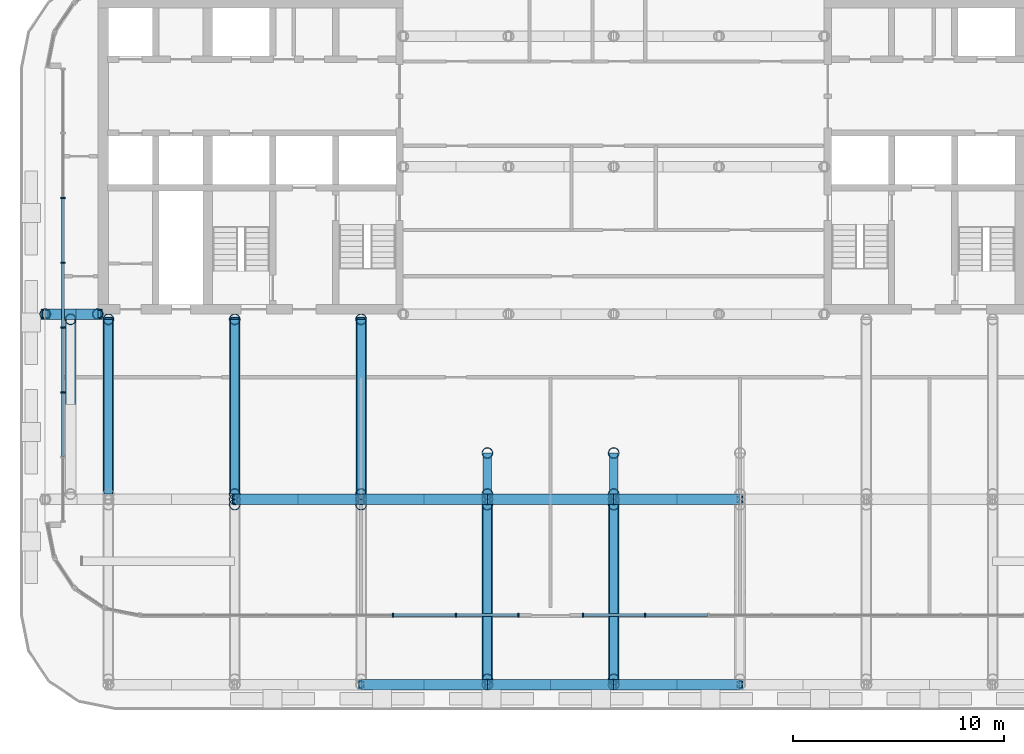
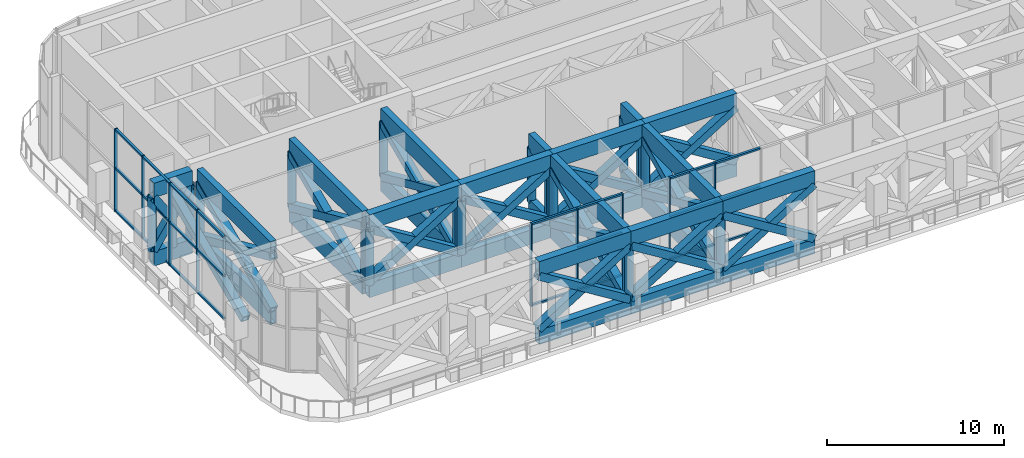
# One storey, part 2 of 20: 84 members, 30 beams, 3 elements without a shape of their own.
"""IFC4 building model written with IfcOpenShell, lengths in metres."""

import ifcopenshell
import ifcopenshell.guid

model = None  # the IFC model being written
_history = None  # IfcOwnerHistory: only IFC2X3 demands one
_inside = {}  # id of a spatial element -> (the spatial element, [elements in it])
_under = {}  # id of a project, library or spatial element -> (it, [spatial elements below it])
_declared = {}  # id of a project -> (the project, [libraries it declares])
_typed = {}  # id of a type object -> (the type object, [elements of that type])
_made_of = {}  # id of a material, layer set ... -> (it, [elements and type objects made of it])


def new_model(schema):
    """Start an empty IFC model of exactly this schema.

    Asked for "IFC4X3", IfcOpenShell would pick the latest addendum, in which some entities
    have other attributes; the version numbers below select the first issue.
    IFC2X3 requires an IfcOwnerHistory on every rooted entity: one is made here for all.
    """
    global model, _history
    if schema == "IFC4X3":
        model = ifcopenshell.file(schema_version=(4, 3, 0, 0))
    else:
        model = ifcopenshell.file(schema=schema)
    _inside.clear()
    _under.clear()
    _declared.clear()
    _typed.clear()
    _made_of.clear()
    _history = None
    if model.schema == "IFC2X3":
        org = make("IfcOrganization", Name="unknown")
        user = make(
            "IfcPersonAndOrganization",
            ThePerson=make("IfcPerson", FamilyName="unknown"),
            TheOrganization=org,
        )
        app = make(
            "IfcApplication",
            ApplicationDeveloper=org,
            Version="unknown",
            ApplicationFullName="unknown",
            ApplicationIdentifier="unknown",
        )
        _history = make(
            "IfcOwnerHistory",
            OwningUser=user,
            OwningApplication=app,
            ChangeAction="ADDED",
            CreationDate=0,
        )
    return model


def make(cls, **values):
    """One entity of the class cls with the attributes given. An attribute that is None is left unset."""
    return model.create_entity(
        cls, **{name: value for name, value in values.items() if value is not None}
    )


def rooted(cls, **values):
    """An entity with a GlobalId (a new one), such as an element, a storey or a relation."""
    return make(cls, GlobalId=ifcopenshell.guid.new(), OwnerHistory=_history, **values)


def si_unit(unit_type, name, prefix=None):
    """IfcSIUnit, for example si_unit("LENGTHUNIT", "METRE", prefix="MILLI")."""
    return make("IfcSIUnit", UnitType=unit_type, Prefix=prefix, Name=name)


def assignment(units):
    """IfcUnitAssignment: the units of a project."""
    return None if units is None else make("IfcUnitAssignment", Units=units)


def point(xyz):
    """IfcCartesianPoint."""
    return None if xyz is None else make("IfcCartesianPoint", Coordinates=xyz)


def direction(xyz):
    """IfcDirection."""
    return None if xyz is None else make("IfcDirection", DirectionRatios=xyz)


def frame(location, z_axis=None, x_axis=None):
    """IfcAxis2Placement3D, a coordinate frame: its origin and axes. An axis left out is left unset."""
    return make(
        "IfcAxis2Placement3D",
        Location=point(location),
        Axis=direction(z_axis),
        RefDirection=direction(x_axis),
    )


def frame_2d(location, x_axis=None):
    """IfcAxis2Placement2D, a coordinate frame in the plane: its origin and x axis."""
    return make(
        "IfcAxis2Placement2D", Location=point(location), RefDirection=direction(x_axis)
    )


def origin():
    """The frame at (0, 0, 0) with its axes left unset."""
    return frame((0.0, 0.0, 0.0))


def origin_2d():
    """The frame at (0, 0) in the plane with its x axis left unset."""
    return frame_2d((0.0, 0.0))


def place(relative_to, where):
    """IfcLocalPlacement: puts the frame where relative to a parent placement (None: the world)."""
    return make(
        "IfcLocalPlacement", PlacementRelTo=relative_to, RelativePlacement=where
    )


def context(
    kind, dimensions, precision=None, world=None, true_north=None, identifier=None
):
    """IfcGeometricRepresentationContext, for example the 3D "Model" context."""
    return make(
        "IfcGeometricRepresentationContext",
        ContextIdentifier=identifier,
        ContextType=kind,
        CoordinateSpaceDimension=dimensions,
        Precision=precision,
        WorldCoordinateSystem=world,
        TrueNorth=true_north,
    )


def subcontext(parent, identifier, kind, view, scale=None):
    """IfcGeometricRepresentationSubContext, for example "Body" below "Model"."""
    return make(
        "IfcGeometricRepresentationSubContext",
        ContextIdentifier=identifier,
        ContextType=kind,
        ParentContext=parent,
        TargetScale=scale,
        TargetView=view,
    )


def project(units=None, contexts=None):
    """IfcProject with its units and contexts."""
    return rooted(
        "IfcProject",
        Name="project",
        RepresentationContexts=contexts,
        UnitsInContext=assignment(units),
    )


def spatial(cls, under=None, at=None, **own):
    """A site, building, storey or space (cls), placed at a placement, below another one or the project."""
    s = rooted(cls, ObjectPlacement=at, **own)
    if under is not None:
        _under.setdefault(under.id(), (under, []))[1].append(s)
    return s


def profile(cls, at=None, kind="AREA", **sizes):
    """A parametric profile (cls). Its sizes go by their IFC names, for example OverallWidth=200.0."""
    return make(cls, ProfileType=kind, Position=at, **sizes)


def rectangle(**sizes):
    """IfcRectangleProfileDef."""
    return profile("IfcRectangleProfileDef", **sizes)


def hollow_rectangle(**sizes):
    """IfcRectangleHollowProfileDef."""
    return profile("IfcRectangleHollowProfileDef", **sizes)


def hollow_circle(**sizes):
    """IfcCircleHollowProfileDef."""
    return profile("IfcCircleHollowProfileDef", **sizes)


def extrude(swept, where, along, depth):
    """IfcExtrudedAreaSolid: the profile swept, set in the frame where, extruded along a direction by depth."""
    return make(
        "IfcExtrudedAreaSolid",
        SweptArea=swept,
        Position=where,
        ExtrudedDirection=direction(along),
        Depth=depth,
    )


def shape(context_of_items, identifier, shape_type, items):
    """IfcShapeRepresentation: the items that make up one representation, for example the "Body"."""
    return make(
        "IfcShapeRepresentation",
        ContextOfItems=context_of_items,
        RepresentationIdentifier=identifier,
        RepresentationType=shape_type,
        Items=items,
    )


def material(Name=None, Category=None):
    """IfcMaterial."""
    return make("IfcMaterial", Name=Name, Category=Category)


def layer(
    of_material, thickness, ventilated=None, Name=None, Category=None, Priority=None
):
    """IfcMaterialLayer: one layer of a wall or slab, of a material (None: an air gap)."""
    return make(
        "IfcMaterialLayer",
        Material=of_material,
        LayerThickness=thickness,
        IsVentilated=ventilated,
        Name=Name,
        Category=Category,
        Priority=Priority,
    )


def layer_set(layers, Name=None):
    """IfcMaterialLayerSet."""
    return make("IfcMaterialLayerSet", MaterialLayers=layers, LayerSetName=Name)


def material_profile(
    of_material, cross_section, Name=None, Category=None, Priority=None
):
    """IfcMaterialProfile: a cross section and its material."""
    return make(
        "IfcMaterialProfile",
        Name=Name,
        Material=of_material,
        Profile=cross_section,
        Priority=Priority,
        Category=Category,
    )


def profile_set(profiles, Name=None, composite=None):
    """IfcMaterialProfileSet."""
    return make(
        "IfcMaterialProfileSet",
        Name=Name,
        MaterialProfiles=profiles,
        CompositeProfile=composite,
    )


def made_of(thing, what):
    """Note that an element or type object is made of a material, layer set ...; save() writes the relation."""
    if what is not None:
        _made_of.setdefault(what.id(), (what, []))[1].append(thing)
    return thing


def type_object(cls, material=None, **own):
    """A type object (cls), such as IfcWallType, which elements share."""
    return made_of(rooted(cls, **own), material)


def element(
    cls,
    number,
    at=None,
    inside=None,
    cuts=None,
    type_object=None,
    material=None,
    context=None,
    identifier="Body",
    shape_type=None,
    held_by="IfcProductDefinitionShape",
    body=None,
    shapes=None,
    **own,
):
    """One element of the class cls, such as IfcWall. Its Tag is "e" and its number.

    at: its placement. inside: the storey or other place that contains it. cuts: it is an
    opening in that element (IfcRelVoidsElement). A single representation is given by context,
    identifier, shape_type and body (its items); several are given by shapes. held_by: the class
    of the entity that holds the representations. save() writes the other relations.
    """
    e = rooted(cls, Tag="e%d" % number, ObjectPlacement=at, **own)
    if body is not None:
        shapes = [shape(context, identifier, shape_type, body)]
    if shapes is not None:
        e.Representation = make(held_by, Representations=shapes)
    if inside is not None:
        _inside.setdefault(inside.id(), (inside, []))[1].append(e)
    if cuts is not None:
        rooted(
            "IfcRelVoidsElement", RelatingBuildingElement=cuts, RelatedOpeningElement=e
        )
    if type_object is not None:
        _typed.setdefault(type_object.id(), (type_object, []))[1].append(e)
    return made_of(e, material)


def aggregate(whole, parts):
    """IfcRelAggregates: a whole, such as a stair, and the parts it consists of."""
    return rooted("IfcRelAggregates", RelatingObject=whole, RelatedObjects=parts)


def save(model, path):
    """Write the relations noted so far, then the file.

    IfcRelAggregates (storeys below a building ...), IfcRelContainedInSpatialStructure (elements
    in a storey), IfcRelDefinesByType, IfcRelAssociatesMaterial and IfcRelDeclares: one each for
    every whole, place, type object, material and project.
    """
    for whole, parts in _under.values():
        aggregate(whole, parts)
    for where, things in _inside.values():
        rooted(
            "IfcRelContainedInSpatialStructure",
            RelatedElements=things,
            RelatingStructure=where,
        )
    for kind, things in _typed.values():
        rooted("IfcRelDefinesByType", RelatedObjects=things, RelatingType=kind)
    for what, things in _made_of.values():
        rooted("IfcRelAssociatesMaterial", RelatedObjects=things, RelatingMaterial=what)
    for by, libraries in _declared.values():
        rooted("IfcRelDeclares", RelatingContext=by, RelatedDefinitions=libraries)
    model.write(path)


model = new_model("IFC4")

# Units and contexts
model_context = context("Model", 3, precision=1e-05, world=origin(), true_north=direction((0.0, 1.0)))
body_context = subcontext(model_context, "Body", "Model", "MODEL_VIEW")
ifc_project = project(units=[si_unit("LENGTHUNIT", "METRE"), si_unit("AREAUNIT", "SQUARE_METRE"), si_unit("VOLUMEUNIT", "CUBIC_METRE"), si_unit("PLANEANGLEUNIT", "RADIAN"), si_unit("MASSUNIT", "GRAM", prefix="KILO")], contexts=[model_context])

# Site, building, storey
site_placement = place(None, origin())
site = spatial("IfcSite", under=ifc_project, at=site_placement, CompositionType="ELEMENT")
building_placement = place(site_placement, origin())
building = spatial("IfcBuilding", under=site, at=building_placement, Name="Torana Hotel and Residences", CompositionType="ELEMENT")
storey_placement = place(building_placement, frame((0.0, 0.0, 177.60009765625)))
storey = spatial("IfcBuildingStorey", under=building, at=storey_placement, Name="L46", CompositionType="ELEMENT", Elevation=177.60009765625)

# Curtain wall, members
ifc_material_1 = material(Name="Dark anodised aluminium", Category="aluminium")
ifc_layer = layer(ifc_material_1, 0.199951171875)
ifc_layer_set = layer_set([ifc_layer], Name="CW2 SKY LOBBY UNITISED CURTAIN WALL")
curtain_wall_type = type_object("IfcCurtainWallType", Name="CW2 SKY LOBBY UNITISED CURTAIN WALL", PredefinedType="NOTDEFINED", material=ifc_layer_set)
curtain_wall_1_placement = place(storey_placement, origin())
curtain_wall_1 = element("IfcCurtainWall", 1, at=curtain_wall_1_placement, inside=storey, type_object=curtain_wall_type, Name="Curtain wall CW2 L46 e0.9-1", PredefinedType="NOTDEFINED")
ifc_material_2 = material(Name="Dark anodised aluminium", Category="aluminium")
ifc_material_profile_1 = material_profile(ifc_material_2, rectangle(XDim=0.199951171875, YDim=0.070068359375, at=origin_2d()), Name="CW2 MULLION 70x200")
ifc_profile_set_1 = profile_set([ifc_material_profile_1], Name="Dark anodised aluminium")
member_type_1 = type_object("IfcMemberType", Name="CW2 MULLION 70x200", PredefinedType="MULLION", material=ifc_profile_set_1)
member_1_placement = place(storey_placement, frame((-26.155029296875, -9.48193359375, 0.0), z_axis=(0.0, 0.0, 1.0), x_axis=(1.0, 0.0, 0.0)))
member_1 = element("IfcMember", 2, at=member_1_placement, type_object=member_type_1, Name="CW2 mullion 3", PredefinedType="MULLION", context=body_context, shape_type="SweptSolid", body=[
    extrude(rectangle(XDim=0.199951171875, YDim=0.070068359375, at=origin_2d()), origin(), (0.0, 0.0, 1.0), 5.719970703125),
])
member_2_placement = place(storey_placement, frame((-26.155029296875, -12.560546875, 0.0), z_axis=(0.0, 0.0, 1.0), x_axis=(1.0, 0.0, 0.0)))
member_2 = element("IfcMember", 3, at=member_2_placement, type_object=member_type_1, Name="CW2 mullion 4", PredefinedType="MULLION", context=body_context, shape_type="SweptSolid", body=[
    extrude(rectangle(XDim=0.199951171875, YDim=0.070068359375, at=origin_2d()), origin(), (0.0, 0.0, 1.0), 5.719970703125),
])
member_3_placement = place(storey_placement, frame((-26.155029296875, -15.639404296875, 0.0), z_axis=(0.0, 0.0, 1.0), x_axis=(1.0, 0.0, 0.0)))
member_3 = element("IfcMember", 4, at=member_3_placement, type_object=member_type_1, Name="CW2 mullion 5", PredefinedType="MULLION", context=body_context, shape_type="SweptSolid", body=[
    extrude(rectangle(XDim=0.199951171875, YDim=0.070068359375, at=origin_2d()), origin(), (0.0, 0.0, 1.0), 5.719970703125),
])
member_4_placement = place(storey_placement, frame((-26.155029296875, -18.718017578125, 0.0), z_axis=(0.0, 0.0, 1.0), x_axis=(1.0, 0.0, 0.0)))
member_4 = element("IfcMember", 5, at=member_4_placement, type_object=member_type_1, Name="CW2 mullion 6", PredefinedType="MULLION", context=body_context, shape_type="SweptSolid", body=[
    extrude(rectangle(XDim=0.199951171875, YDim=0.070068359375, at=origin_2d()), origin(), (0.0, 0.0, 1.0), 5.719970703125),
])

curtain_wall_2_placement = place(storey_placement, origin())
curtain_wall_2 = element("IfcCurtainWall", 6, at=curtain_wall_2_placement, inside=storey, type_object=curtain_wall_type, Name="Curtain wall CW2 L46 e0.14-1", PredefinedType="NOTDEFINED")
member_5_placement = place(storey_placement, frame((-10.488525390625, -29.300048828125, 0.0), z_axis=(0.0, 0.0, 1.0), x_axis=(0.0, 1.0, 0.0)))
member_5 = element("IfcMember", 7, at=member_5_placement, type_object=member_type_1, Name="CW2 mullion 5", PredefinedType="MULLION", context=body_context, shape_type="SweptSolid", body=[
    extrude(rectangle(XDim=0.199951171875, YDim=0.070068359375, at=origin_2d()), origin(), (0.0, 0.0, 1.0), 5.719970703125),
])
member_6_placement = place(storey_placement, frame((-7.49169921875, -29.300048828125, 0.0), z_axis=(0.0, 0.0, 1.0), x_axis=(0.0, 1.0, 0.0)))
member_6 = element("IfcMember", 8, at=member_6_placement, type_object=member_type_1, Name="CW2 mullion 6", PredefinedType="MULLION", context=body_context, shape_type="SweptSolid", body=[
    extrude(rectangle(XDim=0.199951171875, YDim=0.070068359375, at=origin_2d()), origin(), (0.0, 0.0, 1.0), 5.719970703125),
])
member_7_placement = place(storey_placement, frame((-4.530029296875, -29.300048828125, 0.0), z_axis=(0.0, 0.0, 1.0), x_axis=(0.0, 1.0, 0.0)))
member_7 = element("IfcMember", 9, at=member_7_placement, type_object=member_type_1, Name="CW2 mullion 7", PredefinedType="MULLION", context=body_context, shape_type="SweptSolid", body=[
    extrude(rectangle(XDim=0.199951171875, YDim=0.070068359375, at=origin_2d()), origin(), (0.0, 0.0, 1.0), 5.719970703125),
])

curtain_wall_3_placement = place(storey_placement, origin())
curtain_wall_3 = element("IfcCurtainWall", 10, at=curtain_wall_3_placement, inside=storey, type_object=curtain_wall_type, Name="Curtain wall CW2 L46 e0.14-2", PredefinedType="NOTDEFINED")
member_8_placement = place(storey_placement, frame((-1.46337890625, -29.300048828125, 0.0), z_axis=(0.0, 0.0, 1.0), x_axis=(0.0, 1.0, 0.0)))
member_8 = element("IfcMember", 11, at=member_8_placement, type_object=member_type_1, Name="CW2 mullion 1", PredefinedType="MULLION", context=body_context, shape_type="SweptSolid", body=[
    extrude(rectangle(XDim=0.199951171875, YDim=0.070068359375, at=origin_2d()), origin(), (0.0, 0.0, 1.0), 5.719970703125),
])
member_9_placement = place(storey_placement, frame((1.498291015625, -29.300048828125, 0.0), z_axis=(0.0, 0.0, 1.0), x_axis=(0.0, 1.0, 0.0)))
member_9 = element("IfcMember", 12, at=member_9_placement, type_object=member_type_1, Name="CW2 mullion 2", PredefinedType="MULLION", context=body_context, shape_type="SweptSolid", body=[
    extrude(rectangle(XDim=0.199951171875, YDim=0.070068359375, at=origin_2d()), origin(), (0.0, 0.0, 1.0), 5.719970703125),
])

# Member
ifc_material_3 = material(Name="Dark anodised aluminium", Category="aluminium")
ifc_material_profile_2 = material_profile(ifc_material_3, rectangle(XDim=0.14990234375, YDim=0.1201171875, at=origin_2d()), Name="CW2 TRANSOM 150x120")
ifc_profile_set_2 = profile_set([ifc_material_profile_2], Name="Dark anodised aluminium")
member_type_2 = type_object("IfcMemberType", Name="CW2 TRANSOM 150x120", PredefinedType="USERDEFINED", material=ifc_profile_set_2)
member_10_placement = place(storey_placement, frame((-26.155029296875, -9.51708984375, 0.059814453125), z_axis=(0.0, -1.0, 0.0), x_axis=(1.0, 0.0, 0.0)))
member_10 = element("IfcMember", 13, at=member_10_placement, type_object=member_type_2, Name="CW2 transom 3.1", ObjectType="TRANSOM", PredefinedType="USERDEFINED", context=body_context, shape_type="SweptSolid", body=[
    extrude(rectangle(XDim=0.14990234375, YDim=0.1201171875, at=origin_2d()), origin(), (0.0, 0.0, 1.0), 3.008544921875),
])

member_11_placement = place(storey_placement, frame((-26.155029296875, -9.51708984375, 3.0), z_axis=(0.0, -1.0, 0.0), x_axis=(1.0, 0.0, 0.0)))
member_11 = element("IfcMember", 14, at=member_11_placement, type_object=member_type_2, Name="CW2 transom 3.2", ObjectType="TRANSOM", PredefinedType="USERDEFINED", context=body_context, shape_type="SweptSolid", body=[
    extrude(rectangle(XDim=0.14990234375, YDim=0.1201171875, at=origin_2d()), origin(), (0.0, 0.0, 1.0), 3.008544921875),
])

member_12_placement = place(storey_placement, frame((-26.155029296875, -9.51708984375, 5.659912109375), z_axis=(0.0, -1.0, 0.0), x_axis=(1.0, 0.0, 0.0)))
member_12 = element("IfcMember", 15, at=member_12_placement, type_object=member_type_2, Name="CW2 transom 3.3", ObjectType="TRANSOM", PredefinedType="USERDEFINED", context=body_context, shape_type="SweptSolid", body=[
    extrude(rectangle(XDim=0.14990234375, YDim=0.1201171875, at=origin_2d()), origin(), (0.0, 0.0, 1.0), 3.008544921875),
])

member_13_placement = place(storey_placement, frame((-26.155029296875, -12.595703125, 0.059814453125), z_axis=(0.0, -1.0, 0.0), x_axis=(1.0, 0.0, 0.0)))
member_13 = element("IfcMember", 16, at=member_13_placement, type_object=member_type_2, Name="CW2 transom 4.1", ObjectType="TRANSOM", PredefinedType="USERDEFINED", context=body_context, shape_type="SweptSolid", body=[
    extrude(rectangle(XDim=0.14990234375, YDim=0.1201171875, at=origin_2d()), origin(), (0.0, 0.0, 1.0), 3.008544921875),
])

member_14_placement = place(storey_placement, frame((-26.155029296875, -12.595703125, 3.0), z_axis=(0.0, -1.0, 0.0), x_axis=(1.0, 0.0, 0.0)))
member_14 = element("IfcMember", 17, at=member_14_placement, type_object=member_type_2, Name="CW2 transom 4.2", ObjectType="TRANSOM", PredefinedType="USERDEFINED", context=body_context, shape_type="SweptSolid", body=[
    extrude(rectangle(XDim=0.14990234375, YDim=0.1201171875, at=origin_2d()), origin(), (0.0, 0.0, 1.0), 3.008544921875),
])

member_15_placement = place(storey_placement, frame((-26.155029296875, -12.595703125, 5.659912109375), z_axis=(0.0, -1.0, 0.0), x_axis=(1.0, 0.0, 0.0)))
member_15 = element("IfcMember", 18, at=member_15_placement, type_object=member_type_2, Name="CW2 transom 4.3", ObjectType="TRANSOM", PredefinedType="USERDEFINED", context=body_context, shape_type="SweptSolid", body=[
    extrude(rectangle(XDim=0.14990234375, YDim=0.1201171875, at=origin_2d()), origin(), (0.0, 0.0, 1.0), 3.008544921875),
])

member_16_placement = place(storey_placement, frame((-26.155029296875, -15.67431640625, 0.059814453125), z_axis=(0.0, -1.0, 0.0), x_axis=(1.0, 0.0, 0.0)))
member_16 = element("IfcMember", 19, at=member_16_placement, type_object=member_type_2, Name="CW2 transom 5.1", ObjectType="TRANSOM", PredefinedType="USERDEFINED", context=body_context, shape_type="SweptSolid", body=[
    extrude(rectangle(XDim=0.14990234375, YDim=0.1201171875, at=origin_2d()), origin(), (0.0, 0.0, 1.0), 3.0087890625),
])

member_17_placement = place(storey_placement, frame((-26.155029296875, -15.67431640625, 3.0), z_axis=(0.0, -1.0, 0.0), x_axis=(1.0, 0.0, 0.0)))
member_17 = element("IfcMember", 20, at=member_17_placement, type_object=member_type_2, Name="CW2 transom 5.2", ObjectType="TRANSOM", PredefinedType="USERDEFINED", context=body_context, shape_type="SweptSolid", body=[
    extrude(rectangle(XDim=0.14990234375, YDim=0.1201171875, at=origin_2d()), origin(), (0.0, 0.0, 1.0), 3.0087890625),
])

member_18_placement = place(storey_placement, frame((-26.155029296875, -15.67431640625, 5.659912109375), z_axis=(0.0, -1.0, 0.0), x_axis=(1.0, 0.0, 0.0)))
member_18 = element("IfcMember", 21, at=member_18_placement, type_object=member_type_2, Name="CW2 transom 5.3", ObjectType="TRANSOM", PredefinedType="USERDEFINED", context=body_context, shape_type="SweptSolid", body=[
    extrude(rectangle(XDim=0.14990234375, YDim=0.1201171875, at=origin_2d()), origin(), (0.0, 0.0, 1.0), 3.0087890625),
])

member_19_placement = place(storey_placement, frame((-26.155029296875, -18.7529296875, 0.059814453125), z_axis=(0.0, -1.0, 0.0), x_axis=(1.0, 0.0, 0.0)))
member_19 = element("IfcMember", 22, at=member_19_placement, type_object=member_type_2, Name="CW2 transom 6.1", ObjectType="TRANSOM", PredefinedType="USERDEFINED", context=body_context, shape_type="SweptSolid", body=[
    extrude(rectangle(XDim=0.14990234375, YDim=0.1201171875, at=origin_2d()), origin(), (0.0, 0.0, 1.0), 3.0087890625),
])

member_20_placement = place(storey_placement, frame((-26.155029296875, -18.7529296875, 3.0), z_axis=(0.0, -1.0, 0.0), x_axis=(1.0, 0.0, 0.0)))
member_20 = element("IfcMember", 23, at=member_20_placement, type_object=member_type_2, Name="CW2 transom 6.2", ObjectType="TRANSOM", PredefinedType="USERDEFINED", context=body_context, shape_type="SweptSolid", body=[
    extrude(rectangle(XDim=0.14990234375, YDim=0.1201171875, at=origin_2d()), origin(), (0.0, 0.0, 1.0), 3.0087890625),
])

member_21_placement = place(storey_placement, frame((-26.155029296875, -18.7529296875, 5.659912109375), z_axis=(0.0, -1.0, 0.0), x_axis=(1.0, 0.0, 0.0)))
member_21 = element("IfcMember", 24, at=member_21_placement, type_object=member_type_2, Name="CW2 transom 6.3", ObjectType="TRANSOM", PredefinedType="USERDEFINED", context=body_context, shape_type="SweptSolid", body=[
    extrude(rectangle(XDim=0.14990234375, YDim=0.1201171875, at=origin_2d()), origin(), (0.0, 0.0, 1.0), 3.0087890625),
])

aggregate(curtain_wall_1, [member_1, member_2, member_3, member_4, member_10, member_11, member_12, member_13, member_14, member_15, member_16, member_17, member_18, member_19, member_20, member_21])

member_22_placement = place(storey_placement, frame((-10.45361328125, -29.300048828125, 0.059814453125), z_axis=(1.0, 0.0, 0.0), x_axis=(0.0, 1.0, 0.0)))
member_22 = element("IfcMember", 25, at=member_22_placement, type_object=member_type_2, Name="CW2 transom 5.1", ObjectType="TRANSOM", PredefinedType="USERDEFINED", context=body_context, shape_type="SweptSolid", body=[
    extrude(rectangle(XDim=0.14990234375, YDim=0.1201171875, at=origin_2d()), origin(), (0.0, 0.0, 1.0), 2.9267578125),
])

member_23_placement = place(storey_placement, frame((-10.45361328125, -29.300048828125, 3.0), z_axis=(1.0, 0.0, 0.0), x_axis=(0.0, 1.0, 0.0)))
member_23 = element("IfcMember", 26, at=member_23_placement, type_object=member_type_2, Name="CW2 transom 5.2", ObjectType="TRANSOM", PredefinedType="USERDEFINED", context=body_context, shape_type="SweptSolid", body=[
    extrude(rectangle(XDim=0.14990234375, YDim=0.1201171875, at=origin_2d()), origin(), (0.0, 0.0, 1.0), 2.9267578125),
])

member_24_placement = place(storey_placement, frame((-10.45361328125, -29.300048828125, 5.659912109375), z_axis=(1.0, 0.0, 0.0), x_axis=(0.0, 1.0, 0.0)))
member_24 = element("IfcMember", 27, at=member_24_placement, type_object=member_type_2, Name="CW2 transom 5.3", ObjectType="TRANSOM", PredefinedType="USERDEFINED", context=body_context, shape_type="SweptSolid", body=[
    extrude(rectangle(XDim=0.14990234375, YDim=0.1201171875, at=origin_2d()), origin(), (0.0, 0.0, 1.0), 2.9267578125),
])

member_25_placement = place(storey_placement, frame((-7.456787109375, -29.300048828125, 0.059814453125), z_axis=(1.0, 0.0, 0.0), x_axis=(0.0, 1.0, 0.0)))
member_25 = element("IfcMember", 28, at=member_25_placement, type_object=member_type_2, Name="CW2 transom 6.1", ObjectType="TRANSOM", PredefinedType="USERDEFINED", context=body_context, shape_type="SweptSolid", body=[
    extrude(rectangle(XDim=0.14990234375, YDim=0.1201171875, at=origin_2d()), origin(), (0.0, 0.0, 1.0), 2.8916015625),
])

member_26_placement = place(storey_placement, frame((-7.456787109375, -29.300048828125, 3.0), z_axis=(1.0, 0.0, 0.0), x_axis=(0.0, 1.0, 0.0)))
member_26 = element("IfcMember", 29, at=member_26_placement, type_object=member_type_2, Name="CW2 transom 6.2", ObjectType="TRANSOM", PredefinedType="USERDEFINED", context=body_context, shape_type="SweptSolid", body=[
    extrude(rectangle(XDim=0.14990234375, YDim=0.1201171875, at=origin_2d()), origin(), (0.0, 0.0, 1.0), 2.8916015625),
])

member_27_placement = place(storey_placement, frame((-7.456787109375, -29.300048828125, 5.659912109375), z_axis=(1.0, 0.0, 0.0), x_axis=(0.0, 1.0, 0.0)))
member_27 = element("IfcMember", 30, at=member_27_placement, type_object=member_type_2, Name="CW2 transom 6.3", ObjectType="TRANSOM", PredefinedType="USERDEFINED", context=body_context, shape_type="SweptSolid", body=[
    extrude(rectangle(XDim=0.14990234375, YDim=0.1201171875, at=origin_2d()), origin(), (0.0, 0.0, 1.0), 2.8916015625),
])

aggregate(curtain_wall_2, [member_5, member_6, member_7, member_22, member_23, member_24, member_25, member_26, member_27])

member_28_placement = place(storey_placement, frame((-1.428466796875, -29.300048828125, 0.059814453125), z_axis=(1.0, 0.0, 0.0), x_axis=(0.0, 1.0, 0.0)))
member_28 = element("IfcMember", 31, at=member_28_placement, type_object=member_type_2, Name="CW2 transom 1.1", ObjectType="TRANSOM", PredefinedType="USERDEFINED", context=body_context, shape_type="SweptSolid", body=[
    extrude(rectangle(XDim=0.14990234375, YDim=0.1201171875, at=origin_2d()), origin(), (0.0, 0.0, 1.0), 2.891845703125),
])

member_29_placement = place(storey_placement, frame((-1.428466796875, -29.300048828125, 3.0), z_axis=(1.0, 0.0, 0.0), x_axis=(0.0, 1.0, 0.0)))
member_29 = element("IfcMember", 32, at=member_29_placement, type_object=member_type_2, Name="CW2 transom 1.2", ObjectType="TRANSOM", PredefinedType="USERDEFINED", context=body_context, shape_type="SweptSolid", body=[
    extrude(rectangle(XDim=0.14990234375, YDim=0.1201171875, at=origin_2d()), origin(), (0.0, 0.0, 1.0), 2.891845703125),
])

member_30_placement = place(storey_placement, frame((-1.428466796875, -29.300048828125, 5.659912109375), z_axis=(1.0, 0.0, 0.0), x_axis=(0.0, 1.0, 0.0)))
member_30 = element("IfcMember", 33, at=member_30_placement, type_object=member_type_2, Name="CW2 transom 1.3", ObjectType="TRANSOM", PredefinedType="USERDEFINED", context=body_context, shape_type="SweptSolid", body=[
    extrude(rectangle(XDim=0.14990234375, YDim=0.1201171875, at=origin_2d()), origin(), (0.0, 0.0, 1.0), 2.891845703125),
])

member_31_placement = place(storey_placement, frame((1.533203125, -29.300048828125, 0.059814453125), z_axis=(1.0, 0.0, 0.0), x_axis=(0.0, 1.0, 0.0)))
member_31 = element("IfcMember", 34, at=member_31_placement, type_object=member_type_2, Name="CW2 transom 2.1", ObjectType="TRANSOM", PredefinedType="USERDEFINED", context=body_context, shape_type="SweptSolid", body=[
    extrude(rectangle(XDim=0.14990234375, YDim=0.1201171875, at=origin_2d()), origin(), (0.0, 0.0, 1.0), 2.9267578125),
])

member_32_placement = place(storey_placement, frame((1.533203125, -29.300048828125, 3.0), z_axis=(1.0, 0.0, 0.0), x_axis=(0.0, 1.0, 0.0)))
member_32 = element("IfcMember", 35, at=member_32_placement, type_object=member_type_2, Name="CW2 transom 2.2", ObjectType="TRANSOM", PredefinedType="USERDEFINED", context=body_context, shape_type="SweptSolid", body=[
    extrude(rectangle(XDim=0.14990234375, YDim=0.1201171875, at=origin_2d()), origin(), (0.0, 0.0, 1.0), 2.9267578125),
])

member_33_placement = place(storey_placement, frame((1.533203125, -29.300048828125, 5.659912109375), z_axis=(1.0, 0.0, 0.0), x_axis=(0.0, 1.0, 0.0)))
member_33 = element("IfcMember", 36, at=member_33_placement, type_object=member_type_2, Name="CW2 transom 2.3", ObjectType="TRANSOM", PredefinedType="USERDEFINED", context=body_context, shape_type="SweptSolid", body=[
    extrude(rectangle(XDim=0.14990234375, YDim=0.1201171875, at=origin_2d()), origin(), (0.0, 0.0, 1.0), 2.9267578125),
])

aggregate(curtain_wall_3, [member_8, member_9, member_28, member_29, member_30, member_31, member_32, member_33])

# Beams
ifc_material_4 = material(Name="Steel S355", Category="steel")
ifc_material_profile_3 = material_profile(ifc_material_4, hollow_rectangle(XDim=0.5, YDim=1.0, WallThickness=0.050048828125, at=origin_2d()), Name="BOX 1000x500x50")
ifc_profile_set_3 = profile_set([ifc_material_profile_3], Name="Steel S355")
beam_type_1 = type_object("IfcBeamType", Name="STEEL CHORD BOX 1000x500x50", PredefinedType="BEAM", material=ifc_profile_set_3)
for number, where, z_axis, x_axis, name in (
    (37, (-12.0, -32.60009765625, 0.5), (1.0, 0.0, 0.0), (0.0, 1.0, 0.0), "Transfer chord L46"),
    (38, (-12.0, -32.60009765625, 5.219970703125), (1.0, 0.0, 0.0), (0.0, 1.0, 0.0), "Transfer chord L46"),
    (39, (-6.0, -32.60009765625, 0.5), (1.0, 0.0, 0.0), (0.0, 1.0, 0.0), "Transfer chord L46"),
    (40, (-6.0, -32.60009765625, 5.219970703125), (1.0, 0.0, 0.0), (0.0, 1.0, 0.0), "Transfer chord L46"),
    (41, (0.0, -32.60009765625, 0.5), (1.0, 0.0, 0.0), (0.0, 1.0, 0.0), "Transfer chord L46"),
    (42, (0.0, -32.60009765625, 5.219970703125), (1.0, 0.0, 0.0), (0.0, 1.0, 0.0), "Transfer chord L46"),
    (43, (-18.0, -23.800048828125, 0.5), (1.0, 0.0, 0.0), (0.0, 1.0, 0.0), "Transfer chord L46"),
    (44, (-18.0, -23.800048828125, 5.219970703125), (1.0, 0.0, 0.0), (0.0, 1.0, 0.0), "Transfer chord L46"),
    (45, (-12.0, -23.800048828125, 0.5), (1.0, 0.0, 0.0), (0.0, 1.0, 0.0), "Transfer chord L46"),
    (46, (-12.0, -23.800048828125, 5.219970703125), (1.0, 0.0, 0.0), (0.0, 1.0, 0.0), "Transfer chord L46"),
    (47, (-6.0, -23.800048828125, 0.5), (1.0, 0.0, 0.0), (0.0, 1.0, 0.0), "Transfer chord L46"),
    (48, (-6.0, -23.800048828125, 5.219970703125), (1.0, 0.0, 0.0), (0.0, 1.0, 0.0), "Transfer chord L46"),
    (49, (0.0, -23.800048828125, 0.5), (1.0, 0.0, 0.0), (0.0, 1.0, 0.0), "Transfer chord L46"),
    (50, (0.0, -23.800048828125, 5.219970703125), (1.0, 0.0, 0.0), (0.0, 1.0, 0.0), "Transfer chord L46"),
):
    element("IfcBeam", number, at=place(storey_placement, frame(where, z_axis=z_axis, x_axis=x_axis)), inside=storey, type_object=beam_type_1, Name=name, PredefinedType="BEAM", context=body_context, shape_type="SweptSolid", body=[
        extrude(hollow_rectangle(XDim=0.5, YDim=1.0, WallThickness=0.050048828125, at=origin_2d()), origin(), (0.0, 0.0, 1.0), 6.0),
    ])
for number, where, z_axis, x_axis, name in (
    (51, (-27.0, -15.0, 0.5), (1.0, 0.0, 0.0), (0.0, 1.0, 0.0), "Transfer chord L46"),
    (52, (-27.0, -15.0, 5.219970703125), (1.0, 0.0, 0.0), (0.0, 1.0, 0.0), "Transfer chord L46"),
):
    element("IfcBeam", number, at=place(storey_placement, frame(where, z_axis=z_axis, x_axis=x_axis)), inside=storey, type_object=beam_type_1, Name=name, PredefinedType="BEAM", context=body_context, shape_type="SweptSolid", body=[
        extrude(hollow_rectangle(XDim=0.5, YDim=1.0, WallThickness=0.050048828125, at=origin_2d()), origin(), (0.0, 0.0, 1.0), 2.5),
    ])
ifc_material_5 = material(Name="Steel S355", Category="steel")
ifc_material_profile_4 = material_profile(ifc_material_5, hollow_rectangle(XDim=0.39990234375, YDim=1.199951171875, WallThickness=0.0400390625, at=origin_2d()), Name="BOX 1200x400x40")
ifc_profile_set_4 = profile_set([ifc_material_profile_4], Name="Steel S355")
beam_type_2 = type_object("IfcBeamType", Name="STEEL CHORD BOX 1200x400x40", PredefinedType="BEAM", material=ifc_profile_set_4)
for number, where, z_axis, x_axis, name in (
    (53, (-24.0, -23.550048828125, 0.599853515625), (0.0, 1.0, 0.0), (-1.0, 0.0, 0.0), "Transfer chord L46"),
    (54, (-24.0, -23.550048828125, 5.119873046875), (0.0, 1.0, 0.0), (-1.0, 0.0, 0.0), "Transfer chord L46"),
    (55, (-18.0, -23.550048828125, 0.599853515625), (0.0, 1.0, 0.0), (-1.0, 0.0, 0.0), "Transfer chord L46"),
    (56, (-18.0, -23.550048828125, 5.119873046875), (0.0, 1.0, 0.0), (-1.0, 0.0, 0.0), "Transfer chord L46"),
    (57, (-12.0, -23.550048828125, 0.599853515625), (0.0, 1.0, 0.0), (-1.0, 0.0, 0.0), "Transfer chord L46"),
    (58, (-12.0, -23.550048828125, 5.119873046875), (0.0, 1.0, 0.0), (-1.0, 0.0, 0.0), "Transfer chord L46"),
    (59, (-6.0, -32.35009765625, 0.599853515625), (0.0, 1.0, 0.0), (-1.0, 0.0, 0.0), "Transfer chord L46"),
    (60, (-6.0, -32.35009765625, 5.119873046875), (0.0, 1.0, 0.0), (-1.0, 0.0, 0.0), "Transfer chord L46"),
):
    element("IfcBeam", number, at=place(storey_placement, frame(where, z_axis=z_axis, x_axis=x_axis)), inside=storey, type_object=beam_type_2, Name=name, PredefinedType="BEAM", context=body_context, shape_type="SweptSolid", body=[
        extrude(hollow_rectangle(XDim=0.39990234375, YDim=1.199951171875, WallThickness=0.0400390625, at=origin_2d()), origin(), (0.0, 0.0, 1.0), 8.300048828125),
    ])
for number, where, z_axis, x_axis, name in (
    (61, (-6.0, -23.550048828125, 0.599853515625), (0.0, 1.0, 0.0), (-1.0, 0.0, 0.0), "Transfer chord L46"),
    (62, (-6.0, -23.550048828125, 5.119873046875), (0.0, 1.0, 0.0), (-1.0, 0.0, 0.0), "Transfer chord L46"),
):
    element("IfcBeam", number, at=place(storey_placement, frame(where, z_axis=z_axis, x_axis=x_axis)), inside=storey, type_object=beam_type_2, Name=name, PredefinedType="BEAM", context=body_context, shape_type="SweptSolid", body=[
        extrude(hollow_rectangle(XDim=0.39990234375, YDim=1.199951171875, WallThickness=0.0400390625, at=origin_2d()), origin(), (0.0, 0.0, 1.0), 1.949951171875),
    ])
for number, where, z_axis, x_axis, name in (
    (63, (0.0, -32.35009765625, 0.599853515625), (0.0, 1.0, 0.0), (-1.0, 0.0, 0.0), "Transfer chord L46"),
    (64, (0.0, -32.35009765625, 5.119873046875), (0.0, 1.0, 0.0), (-1.0, 0.0, 0.0), "Transfer chord L46"),
):
    element("IfcBeam", number, at=place(storey_placement, frame(where, z_axis=z_axis, x_axis=x_axis)), inside=storey, type_object=beam_type_2, Name=name, PredefinedType="BEAM", context=body_context, shape_type="SweptSolid", body=[
        extrude(hollow_rectangle(XDim=0.39990234375, YDim=1.199951171875, WallThickness=0.0400390625, at=origin_2d()), origin(), (0.0, 0.0, 1.0), 8.300048828125),
    ])
for number, where, z_axis, x_axis, name in (
    (65, (0.0, -23.550048828125, 0.599853515625), (0.0, 1.0, 0.0), (-1.0, 0.0, 0.0), "Transfer chord L46"),
    (66, (0.0, -23.550048828125, 5.119873046875), (0.0, 1.0, 0.0), (-1.0, 0.0, 0.0), "Transfer chord L46"),
):
    element("IfcBeam", number, at=place(storey_placement, frame(where, z_axis=z_axis, x_axis=x_axis)), inside=storey, type_object=beam_type_2, Name=name, PredefinedType="BEAM", context=body_context, shape_type="SweptSolid", body=[
        extrude(hollow_rectangle(XDim=0.39990234375, YDim=1.199951171875, WallThickness=0.0400390625, at=origin_2d()), origin(), (0.0, 0.0, 1.0), 1.949951171875),
    ])

# Members
ifc_material_6 = material(Name="Steel S355", Category="steel")
ifc_material_profile_5 = material_profile(ifc_material_6, hollow_rectangle(XDim=0.5, YDim=0.5, WallThickness=0.080078125, at=origin_2d()), Name="BOX 500x500x80")
ifc_profile_set_5 = profile_set([ifc_material_profile_5], Name="Steel S355")
member_type_3 = type_object("IfcMemberType", Name="STEEL DIAGONAL BOX 500x500x80", PredefinedType="BRACE", material=ifc_profile_set_5)
for number, where, z_axis, x_axis, name in (
    (67, (-12.0, -32.60009765625, 1.0), (0.84990455024, 0.0, 0.526936671224), (0.0, 1.0, 0.0), "Truss diagonal L46"),
    (68, (-6.0, -32.60009765625, 1.0), (-0.84990455024, 0.0, 0.526936671224), (0.0, -1.0, 0.0), "Truss diagonal L46"),
    (69, (-6.0, -32.60009765625, 1.0), (0.84990455024, 0.0, 0.526936671224), (0.0, 1.0, 0.0), "Truss diagonal L46"),
    (70, (0.0, -32.60009765625, 1.0), (-0.84990455024, 0.0, 0.526936671224), (0.0, -1.0, 0.0), "Truss diagonal L46"),
    (71, (0.0, -32.60009765625, 1.0), (0.84990455024, 0.0, 0.526936671224), (0.0, 1.0, 0.0), "Truss diagonal L46"),
    (72, (6.0, -32.60009765625, 1.0), (-0.84990455024, 0.0, 0.526936671224), (0.0, -1.0, 0.0), "Truss diagonal L46"),
    (73, (-18.0, -23.800048828125, 1.0), (0.84990455024, 0.0, 0.526936671224), (0.0, 1.0, 0.0), "Truss diagonal L46"),
    (74, (-12.0, -23.800048828125, 1.0), (-0.84990455024, 0.0, 0.526936671224), (0.0, -1.0, 0.0), "Truss diagonal L46"),
    (75, (-12.0, -23.800048828125, 1.0), (0.84990455024, 0.0, 0.526936671224), (0.0, 1.0, 0.0), "Truss diagonal L46"),
    (76, (-6.0, -23.800048828125, 1.0), (-0.84990455024, 0.0, 0.526936671224), (0.0, -1.0, 0.0), "Truss diagonal L46"),
    (77, (-6.0, -23.800048828125, 1.0), (0.84990455024, 0.0, 0.526936671224), (0.0, 1.0, 0.0), "Truss diagonal L46"),
    (78, (0.0, -23.800048828125, 1.0), (-0.84990455024, 0.0, 0.526936671224), (0.0, -1.0, 0.0), "Truss diagonal L46"),
    (79, (0.0, -23.800048828125, 1.0), (0.84990455024, 0.0, 0.526936671224), (0.0, 1.0, 0.0), "Truss diagonal L46"),
    (80, (6.0, -23.800048828125, 1.0), (-0.84990455024, 0.0, 0.526936671224), (0.0, -1.0, 0.0), "Truss diagonal L46"),
):
    element("IfcMember", number, at=place(storey_placement, frame(where, z_axis=z_axis, x_axis=x_axis)), inside=storey, type_object=member_type_3, Name=name, PredefinedType="BRACE", context=body_context, shape_type="SweptSolid", body=[
        extrude(hollow_rectangle(XDim=0.5, YDim=0.5, WallThickness=0.080078125, at=origin_2d()), origin(), (0.0, 0.0, 1.0), 7.0595703125),
    ])
member_34_placement = place(storey_placement, frame((-27.0, -15.0, 1.0), z_axis=(0.557788673366, 0.0, 0.829983009383), x_axis=(0.0, 1.0, 0.0)))
element("IfcMember", 81, at=member_34_placement, inside=storey, type_object=member_type_3, Name="Truss diagonal L46", PredefinedType="BRACE", context=body_context, shape_type="SweptSolid", body=[
    extrude(hollow_rectangle(XDim=0.5, YDim=0.5, WallThickness=0.080078125, at=origin_2d()), origin(), (0.0, 0.0, 1.0), 4.48193359375),
])
member_35_placement = place(storey_placement, frame((-25.75, -15.0, 2.85986328125), z_axis=(-0.557763456366, 0.0, 0.829999955869), x_axis=(0.0, -1.0, 0.0)))
element("IfcMember", 82, at=member_35_placement, inside=storey, type_object=member_type_3, Name="Truss diagonal L46", PredefinedType="BRACE", context=body_context, shape_type="SweptSolid", body=[
    extrude(hollow_rectangle(XDim=0.5, YDim=0.5, WallThickness=0.080078125, at=origin_2d()), origin(), (0.0, 0.0, 1.0), 2.2412109375),
])
for number, where, z_axis, x_axis, name in (
    (83, (-25.800048828125, -23.550048828125, 1.0), (0.0, 0.912539724952, 0.408988080981), (-1.0, 0.0, 0.0), "Truss diagonal L46"),
    (84, (-24.0, -23.550048828125, 1.0), (0.0, 0.912539724952, 0.408988080981), (-1.0, 0.0, 0.0), "Truss diagonal L46"),
    (85, (-24.0, -15.25, 1.0), (0.0, -0.912539724952, 0.408988080981), (1.0, 0.0, 0.0), "Truss diagonal L46"),
    (86, (-18.0, -23.550048828125, 1.0), (0.0, 0.912539724952, 0.408988080981), (-1.0, 0.0, 0.0), "Truss diagonal L46"),
    (87, (-18.0, -15.25, 1.0), (0.0, -0.912539724952, 0.408988080981), (1.0, 0.0, 0.0), "Truss diagonal L46"),
    (88, (-12.0, -23.550048828125, 1.0), (0.0, 0.912539724952, 0.408988080981), (-1.0, 0.0, 0.0), "Truss diagonal L46"),
    (89, (-12.0, -15.25, 1.0), (0.0, -0.912539724952, 0.408988080981), (1.0, 0.0, 0.0), "Truss diagonal L46"),
    (90, (-6.0, -32.35009765625, 1.0), (0.0, 0.912539724952, 0.408988080981), (-1.0, 0.0, 0.0), "Truss diagonal L46"),
    (91, (-6.0, -24.050048828125, 1.0), (0.0, -0.912539724952, 0.408988080981), (1.0, 0.0, 0.0), "Truss diagonal L46"),
    (92, (0.0, -32.35009765625, 1.0), (0.0, 0.912539724952, 0.408988080981), (-1.0, 0.0, 0.0), "Truss diagonal L46"),
    (93, (0.0, -24.050048828125, 1.0), (0.0, -0.912539724952, 0.408988080981), (1.0, 0.0, 0.0), "Truss diagonal L46"),
):
    element("IfcMember", number, at=place(storey_placement, frame(where, z_axis=z_axis, x_axis=x_axis)), inside=storey, type_object=member_type_3, Name=name, PredefinedType="BRACE", context=body_context, shape_type="SweptSolid", body=[
        extrude(hollow_rectangle(XDim=0.5, YDim=0.5, WallThickness=0.080078125, at=origin_2d()), origin(), (0.0, 0.0, 1.0), 9.095458984375),
    ])
ifc_material_7 = material(Name="Steel S355", Category="steel")
ifc_material_profile_6 = material_profile(ifc_material_7, hollow_circle(Radius=0.25390625, WallThickness=0.01611328125, at=origin_2d()), Name="508x16 CHS")
ifc_profile_set_6 = profile_set([ifc_material_profile_6], Name="Steel S355")
member_type_4 = type_object("IfcMemberType", Name="STEEL POST 508x16 CHS", PredefinedType="POST", material=ifc_profile_set_6)
for number, where, z_axis, x_axis, name in (
    (94, (-6.0, -32.60009765625, 1.0), (0.0, 0.0, 1.0), (1.0, 0.0, 0.0), "Truss post L46"),
    (95, (0.0, -32.60009765625, 1.0), (0.0, 0.0, 1.0), (1.0, 0.0, 0.0), "Truss post L46"),
    (96, (-18.0, -23.800048828125, 1.0), (0.0, 0.0, 1.0), (1.0, 0.0, 0.0), "Truss post L46"),
    (97, (-12.0, -23.800048828125, 1.0), (0.0, 0.0, 1.0), (1.0, 0.0, 0.0), "Truss post L46"),
    (98, (-6.0, -23.800048828125, 1.0), (0.0, 0.0, 1.0), (1.0, 0.0, 0.0), "Truss post L46"),
    (99, (0.0, -23.800048828125, 1.0), (0.0, 0.0, 1.0), (1.0, 0.0, 0.0), "Truss post L46"),
    (100, (-27.0, -15.0, 1.0), (0.0, 0.0, 1.0), (1.0, 0.0, 0.0), "Truss post L46"),
    (101, (-24.5, -15.0, 1.0), (0.0, 0.0, 1.0), (1.0, 0.0, 0.0), "Truss post L46"),
    (102, (-25.800048828125, -15.25, 1.0), (0.0, 0.0, 1.0), (1.0, 0.0, 0.0), "Truss post L46"),
    (103, (-24.0, -15.25, 1.0), (0.0, 0.0, 1.0), (1.0, 0.0, 0.0), "Truss post L46"),
    (104, (-18.0, -24.050048828125, 1.0), (0.0, 0.0, 1.0), (1.0, 0.0, 0.0), "Truss post L46"),
    (105, (-18.0, -23.550048828125, 1.0), (0.0, 0.0, 1.0), (1.0, 0.0, 0.0), "Truss post L46"),
    (106, (-18.0, -15.25, 1.0), (0.0, 0.0, 1.0), (1.0, 0.0, 0.0), "Truss post L46"),
    (107, (-12.0, -24.050048828125, 1.0), (0.0, 0.0, 1.0), (1.0, 0.0, 0.0), "Truss post L46"),
    (108, (-12.0, -23.550048828125, 1.0), (0.0, 0.0, 1.0), (1.0, 0.0, 0.0), "Truss post L46"),
    (109, (-12.0, -15.25, 1.0), (0.0, 0.0, 1.0), (1.0, 0.0, 0.0), "Truss post L46"),
    (110, (-6.0, -32.35009765625, 1.0), (0.0, 0.0, 1.0), (1.0, 0.0, 0.0), "Truss post L46"),
    (111, (-6.0, -24.050048828125, 1.0), (0.0, 0.0, 1.0), (1.0, 0.0, 0.0), "Truss post L46"),
    (112, (-6.0, -23.550048828125, 1.0), (0.0, 0.0, 1.0), (1.0, 0.0, 0.0), "Truss post L46"),
    (113, (-6.0, -21.60009765625, 1.0), (0.0, 0.0, 1.0), (1.0, 0.0, 0.0), "Truss post L46"),
    (114, (0.0, -32.35009765625, 1.0), (0.0, 0.0, 1.0), (1.0, 0.0, 0.0), "Truss post L46"),
    (115, (0.0, -24.050048828125, 1.0), (0.0, 0.0, 1.0), (1.0, 0.0, 0.0), "Truss post L46"),
    (116, (0.0, -23.550048828125, 1.0), (0.0, 0.0, 1.0), (1.0, 0.0, 0.0), "Truss post L46"),
    (117, (0.0, -21.60009765625, 1.0), (0.0, 0.0, 1.0), (1.0, 0.0, 0.0), "Truss post L46"),
):
    element("IfcMember", number, at=place(storey_placement, frame(where, z_axis=z_axis, x_axis=x_axis)), inside=storey, type_object=member_type_4, Name=name, PredefinedType="POST", context=body_context, shape_type="SweptSolid", body=[
        extrude(hollow_circle(Radius=0.25390625, WallThickness=0.01611328125, at=origin_2d()), origin(), (0.0, 0.0, 1.0), 3.719970703125),
    ])

save(model, "model.ifc")
